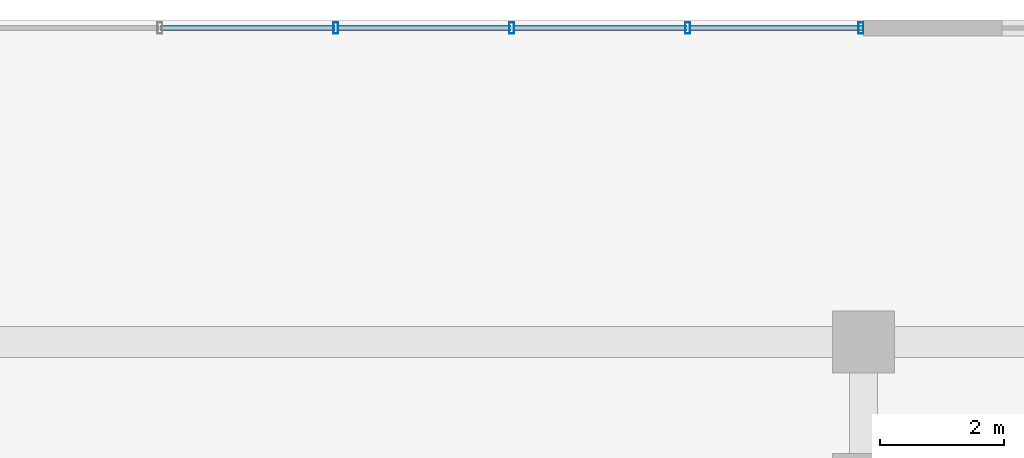
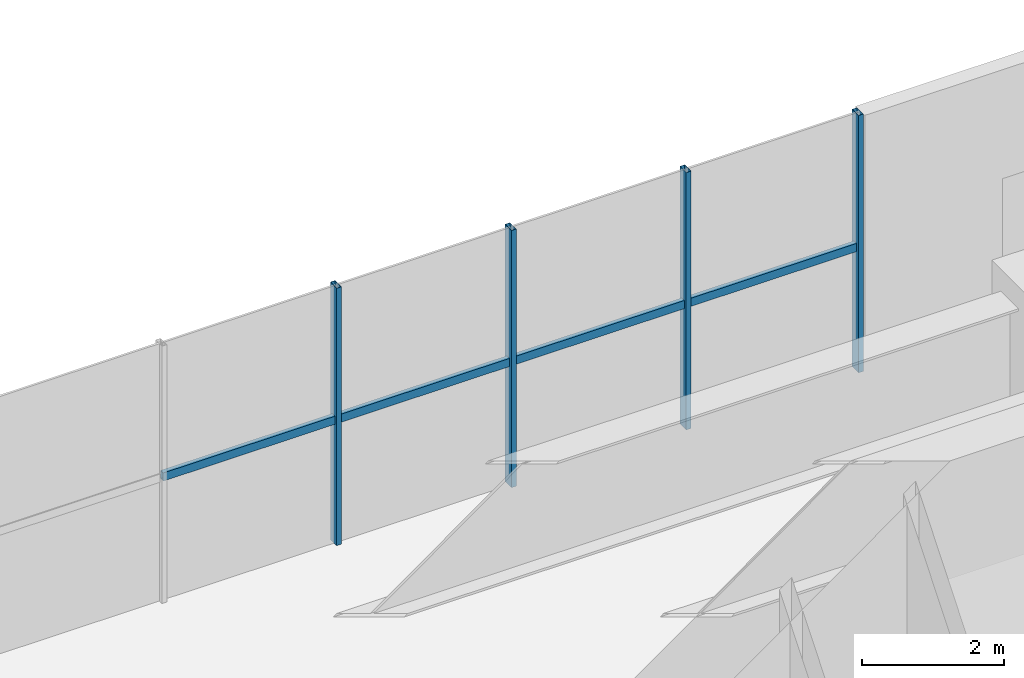
# One storey, part 7 of 17: 8 members, 1 element without a shape of its own.
"""IFC4 building model written with IfcOpenShell, lengths in metres."""

from ifc_helpers import new_model, si_unit, direction, frame, origin, origin_2d, place, context, subcontext, project, spatial, hollow_rectangle, extrude, source, transform, mapped, material, material_profile, profile_set, type_object, element, aggregate, save


model = new_model("IFC4")

# Units and contexts
model_context = context("Model", 3, precision=1e-05, world=origin(), true_north=direction((0.0, 1.0)))
body_context = subcontext(model_context, "Body", "Model", "MODEL_VIEW")
ifc_project = project(units=[si_unit("LENGTHUNIT", "METRE"), si_unit("AREAUNIT", "SQUARE_METRE"), si_unit("VOLUMEUNIT", "CUBIC_METRE"), si_unit("PLANEANGLEUNIT", "RADIAN"), si_unit("MASSUNIT", "GRAM", prefix="KILO")], contexts=[model_context])

# Site, building, storey
site_placement = place(None, origin())
site = spatial("IfcSite", under=ifc_project, at=site_placement, CompositionType="ELEMENT")
building_placement = place(site_placement, origin())
building = spatial("IfcBuilding", under=site, at=building_placement, Name="Trelvane Seafront Commons", CompositionType="ELEMENT")
storey_placement = place(building_placement, frame((0.0, 0.0, 18.699951171875)))
storey = spatial("IfcBuildingStorey", under=building, at=storey_placement, Name="L04", CompositionType="ELEMENT", Elevation=18.699951171875)

# Curtain wall, members
ifc_material = material(Name="Anodised pale-silver aluminium", Category="aluminium")
curtain_wall_type = type_object("IfcCurtainWallType", Name="ARCH-CW1-PODIUM", PredefinedType="NOTDEFINED", material=ifc_material)
curtain_wall_placement = place(storey_placement, origin())
curtain_wall = element("IfcCurtainWall", 1, at=curtain_wall_placement, inside=storey, type_object=curtain_wall_type, Name="CW-L04-0027", PredefinedType="NOTDEFINED")
ifc_material_profile_1 = material_profile(ifc_material, hollow_rectangle(XDim=0.074951171875, YDim=0.139892578125, WallThickness=0.00390625, at=origin_2d()), Name="TRAN-75x140x4")
ifc_profile_set_1 = profile_set([ifc_material_profile_1], Name="Anodised pale-silver aluminium")
member_type_1 = type_object("IfcMemberType", Name="ARCH-CW-TRAN-140", PredefinedType="USERDEFINED", material=ifc_profile_set_1)
shared_shape_1 = source(origin(), body_context, "Body", "SweptSolid", [
    extrude(hollow_rectangle(XDim=0.074951171875, YDim=0.139892578125, WallThickness=0.00390625, at=origin_2d()), origin(), (0.0, 0.0, 1.0), 2.81591796875),
])
member_1_placement = place(storey_placement, frame((50.2919921875, 52.469970703125, 2.1220703125), z_axis=(1.0, 0.0, 0.0), x_axis=(0.0, 1.0, 0.0)))
member_1 = element("IfcMember", 2, at=member_1_placement, type_object=member_type_1, Name="CW-L04-0027-T02", ObjectType="TRANSOM", PredefinedType="USERDEFINED", context=body_context, shape_type="MappedRepresentation", body=[
    mapped(shared_shape_1, transform((0.0, 0.0, 0.0), x_axis=(1.0, 0.0, 0.0), y_axis=(0.0, 1.0, 0.0), z_axis=(0.0, 0.0, 1.0), scale=1.0)),
])
member_2_placement = place(storey_placement, frame((53.132080078125, 52.469970703125, 2.1220703125), z_axis=(1.0, 0.0, 0.0), x_axis=(0.0, 1.0, 0.0)))
member_2 = element("IfcMember", 3, at=member_2_placement, type_object=member_type_1, Name="CW-L04-0027-T03", ObjectType="TRANSOM", PredefinedType="USERDEFINED", context=body_context, shape_type="MappedRepresentation", body=[
    mapped(shared_shape_1, transform((0.0, 0.0, 0.0), x_axis=(1.0, 0.0, 0.0), y_axis=(0.0, 1.0, 0.0), z_axis=(0.0, 0.0, 1.0), scale=1.0)),
])
shared_shape_2 = source(origin(), body_context, "Body", "SweptSolid", [
    extrude(hollow_rectangle(XDim=0.074951171875, YDim=0.139892578125, WallThickness=0.00390625, at=origin_2d()), origin(), (0.0, 0.0, 1.0), 2.816162109375),
])
member_3_placement = place(storey_placement, frame((47.451904296875, 52.469970703125, 2.1220703125), z_axis=(1.0, 0.0, 0.0), x_axis=(0.0, 1.0, 0.0)))
member_3 = element("IfcMember", 4, at=member_3_placement, type_object=member_type_1, Name="CW-L04-0027-T01", ObjectType="TRANSOM", PredefinedType="USERDEFINED", context=body_context, shape_type="MappedRepresentation", body=[
    mapped(shared_shape_2, transform((0.0, 0.0, 0.0), x_axis=(1.0, 0.0, 0.0), y_axis=(0.0, 1.0, 0.0), z_axis=(0.0, 0.0, 1.0), scale=1.0)),
])
member_4_placement = place(storey_placement, frame((55.971923828125, 52.469970703125, 2.1220703125), z_axis=(1.0, 0.0, 0.0), x_axis=(0.0, 1.0, 0.0)))
member_4 = element("IfcMember", 5, at=member_4_placement, type_object=member_type_1, Name="CW-L04-0027-T04", ObjectType="TRANSOM", PredefinedType="USERDEFINED", context=body_context, shape_type="MappedRepresentation", body=[
    mapped(shared_shape_2, transform((0.0, 0.0, 0.0), x_axis=(1.0, 0.0, 0.0), y_axis=(0.0, 1.0, 0.0), z_axis=(0.0, 0.0, 1.0), scale=1.0)),
])
ifc_material_profile_2 = material_profile(ifc_material, hollow_rectangle(XDim=0.080078125, YDim=0.179931640625, WallThickness=0.00439453125, at=origin_2d()), Name="MULL-80x180x4.5")
ifc_profile_set_2 = profile_set([ifc_material_profile_2], Name="Anodised pale-silver aluminium")
member_type_2 = type_object("IfcMemberType", Name="ARCH-CW-MULL-180", PredefinedType="MULLION", material=ifc_profile_set_2)
shared_shape_3 = source(origin(), body_context, "Body", "SweptSolid", [
    extrude(hollow_rectangle(XDim=0.080078125, YDim=0.179931640625, WallThickness=0.00439453125, at=origin_2d()), origin(), (0.0, 0.0, 1.0), 4.420166015625),
])
member_5_placement = place(storey_placement, frame((50.280029296875, 52.469970703125, 0.0), z_axis=(0.0, 0.0, 1.0), x_axis=(1.0, 0.0, 0.0)))
member_5 = element("IfcMember", 6, at=member_5_placement, type_object=member_type_2, Name="CW-L04-0027-M02", PredefinedType="MULLION", context=body_context, shape_type="MappedRepresentation", body=[
    mapped(shared_shape_3, transform((0.0, 0.0, 0.0), x_axis=(1.0, 0.0, 0.0), y_axis=(0.0, 1.0, 0.0), z_axis=(0.0, 0.0, 1.0), scale=1.0)),
])
member_6_placement = place(storey_placement, frame((53.1201171875, 52.469970703125, 0.0), z_axis=(0.0, 0.0, 1.0), x_axis=(1.0, 0.0, 0.0)))
member_6 = element("IfcMember", 7, at=member_6_placement, type_object=member_type_2, Name="CW-L04-0027-M03", PredefinedType="MULLION", context=body_context, shape_type="MappedRepresentation", body=[
    mapped(shared_shape_3, transform((0.0, 0.0, 0.0), x_axis=(1.0, 0.0, 0.0), y_axis=(0.0, 1.0, 0.0), z_axis=(0.0, 0.0, 1.0), scale=1.0)),
])
member_7_placement = place(storey_placement, frame((55.9599609375, 52.469970703125, 0.0), z_axis=(0.0, 0.0, 1.0), x_axis=(1.0, 0.0, 0.0)))
member_7 = element("IfcMember", 8, at=member_7_placement, type_object=member_type_2, Name="CW-L04-0027-M04", PredefinedType="MULLION", context=body_context, shape_type="MappedRepresentation", body=[
    mapped(shared_shape_3, transform((0.0, 0.0, 0.0), x_axis=(1.0, 0.0, 0.0), y_axis=(0.0, 1.0, 0.0), z_axis=(0.0, 0.0, 1.0), scale=1.0)),
])
member_8_placement = place(storey_placement, frame((58.760009765625, 52.469970703125, 0.0), z_axis=(0.0, 0.0, 1.0), x_axis=(1.0, 0.0, 0.0)))
member_8 = element("IfcMember", 9, at=member_8_placement, type_object=member_type_2, Name="CW-L04-0027-M05", PredefinedType="MULLION", context=body_context, shape_type="MappedRepresentation", body=[
    mapped(shared_shape_3, transform((0.0, 0.0, 0.0), x_axis=(1.0, 0.0, 0.0), y_axis=(0.0, 1.0, 0.0), z_axis=(0.0, 0.0, 1.0), scale=1.0)),
])
aggregate(curtain_wall, [member_5, member_6, member_7, member_8, member_3, member_1, member_2, member_4])

save(model, "model.ifc")
